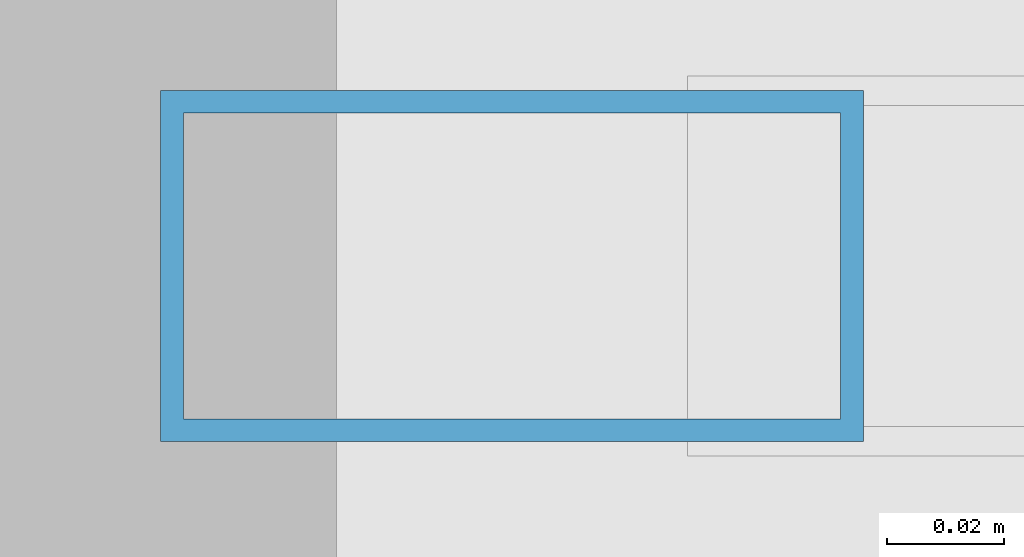
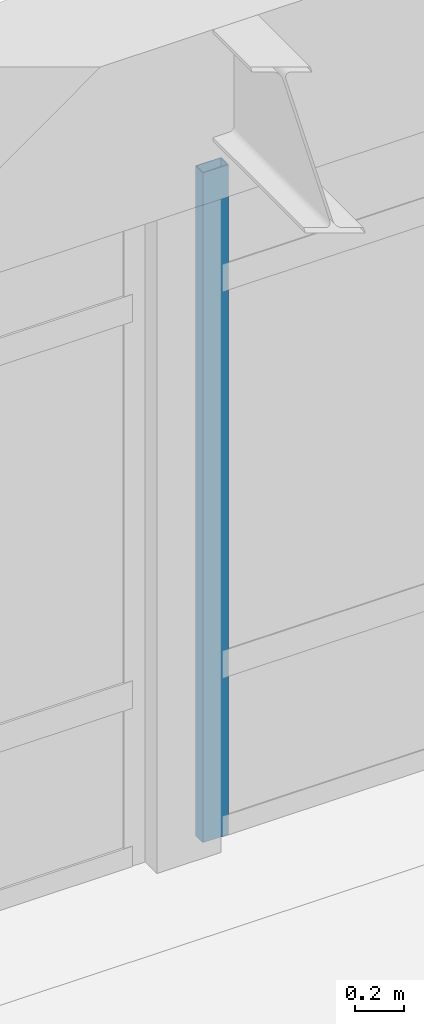
# One storey, part 33 of 109: 1 member, 1 element without a shape of its own.
"""IFC4 building model written with IfcOpenShell, lengths in metres."""

from ifc_helpers import new_model, si_unit, direction, frame, origin, origin_2d, place, context, subcontext, project, spatial, hollow_rectangle, extrude, material, layer, layer_set, material_profile, profile_set, type_object, element, aggregate, save


model = new_model("IFC4")

# Units and contexts
model_context = context("Model", 3, precision=1e-05, world=origin(), true_north=direction((0.0, 1.0)))
body_context = subcontext(model_context, "Body", "Model", "MODEL_VIEW")
ifc_project = project(units=[si_unit("LENGTHUNIT", "METRE"), si_unit("AREAUNIT", "SQUARE_METRE"), si_unit("VOLUMEUNIT", "CUBIC_METRE"), si_unit("PLANEANGLEUNIT", "RADIAN"), si_unit("MASSUNIT", "GRAM", prefix="KILO")], contexts=[model_context])

# Site, building, storey
site_placement = place(None, origin())
site = spatial("IfcSite", under=ifc_project, at=site_placement, CompositionType="ELEMENT")
building_placement = place(site_placement, origin())
building = spatial("IfcBuilding", under=site, at=building_placement, Name="Fikremerkos Civic Library", CompositionType="ELEMENT")
storey_placement = place(building_placement, frame((0.0, 0.0, 5.39990234375)))
storey = spatial("IfcBuildingStorey", under=building, at=storey_placement, Name="L01", CompositionType="ELEMENT", Elevation=5.39990234375)

# Curtain wall, member
ifc_material = material(Name="Anodized aluminium Frame", Category="aluminium")
ifc_layer = layer(ifc_material, 0.159912109375, Name="Anodized aluminium Frame")
ifc_layer_set = layer_set([ifc_layer], Name="Anodized aluminium Frame")
curtain_wall_type = type_object("IfcCurtainWallType", Name="Unitised curtain wall CW-04 3400x3600", PredefinedType="USERDEFINED", material=ifc_layer_set)
curtain_wall_placement = place(storey_placement, origin())
curtain_wall = element("IfcCurtainWall", 1, at=curtain_wall_placement, inside=storey, type_object=curtain_wall_type, Name="Unitised curtain wall CW-04 L01 #94", ObjectType="UNITISED CURTAIN WALL", PredefinedType="USERDEFINED")
ifc_material_profile = material_profile(ifc_material, hollow_rectangle(XDim=0.06005859375, YDim=0.1201171875, WallThickness=0.00390625, at=origin_2d()), Name="ALU 120x60x4")
ifc_profile_set = profile_set([ifc_material_profile], Name="Anodized aluminium Frame")
member_type = type_object("IfcMemberType", Name="Curtain mullion CWM-04 ALU 120x60x4", PredefinedType="MULLION", material=ifc_profile_set)
member_placement = place(storey_placement, frame((95.763916015625, 48.0, 0.0), z_axis=(0.0, 0.0, 1.0), x_axis=(0.0, 1.0, 0.0)))
member = element("IfcMember", 2, at=member_placement, type_object=member_type, Name="CW-04 mullion 1", PredefinedType="MULLION", context=body_context, shape_type="SweptSolid", body=[
    extrude(hollow_rectangle(XDim=0.06005859375, YDim=0.1201171875, WallThickness=0.00390625, at=origin_2d()), origin(), (0.0, 0.0, 1.0), 3.31005859375),
])
aggregate(curtain_wall, [member])

save(model, "model.ifc")
